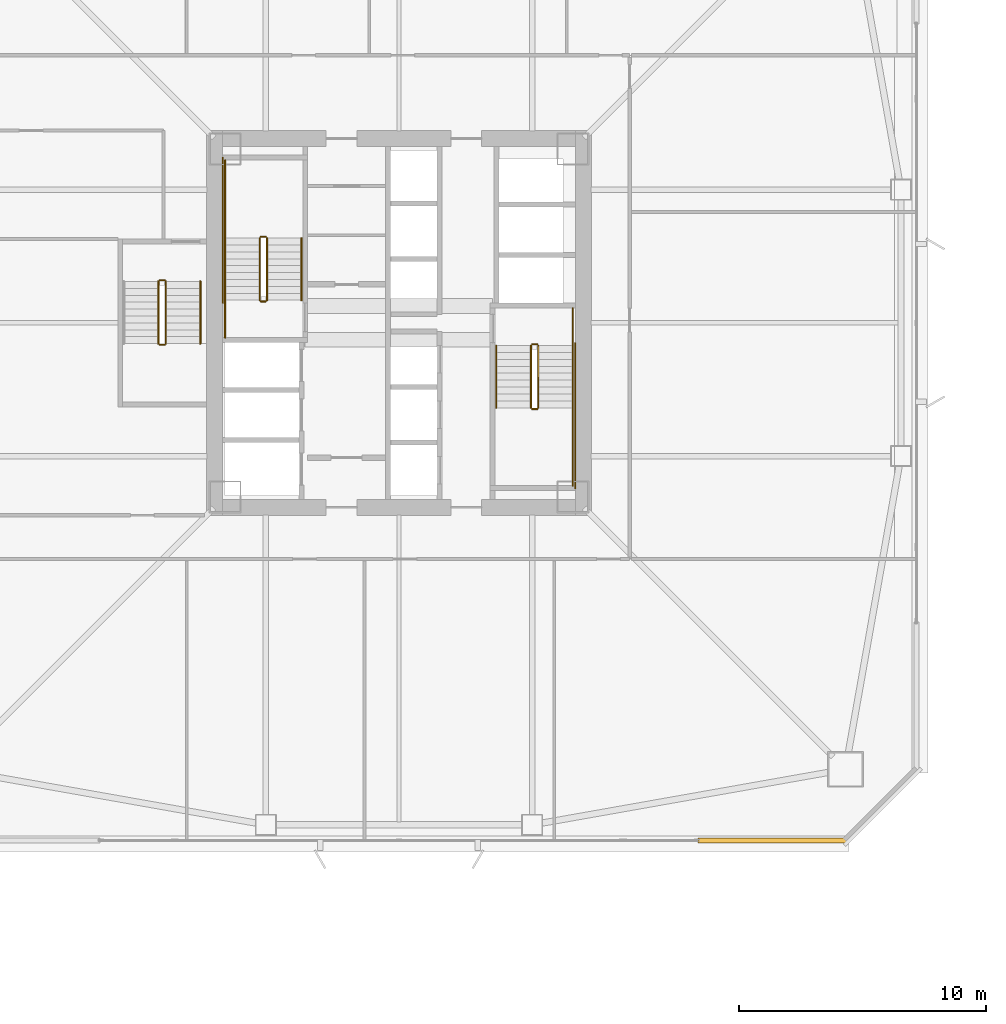
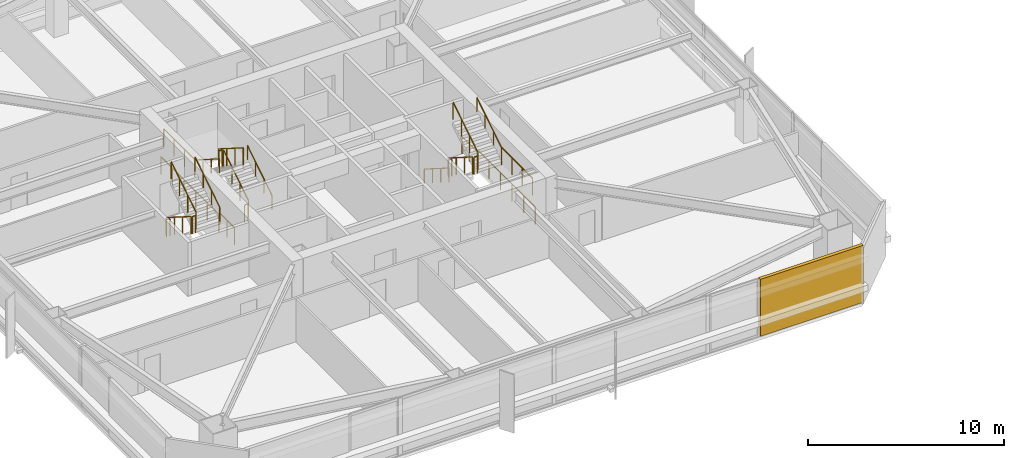
# One storey, part 43 of 49: 23 railings, 1 covering.
"""IFC4 building model written with IfcOpenShell, lengths in metres."""

from ifc_helpers import new_model, si_unit, direction, frame, origin, origin_2d, place, context, subcontext, project, spatial, rectangle, extrude, material, layer, layer_set, type_object, element, save


model = new_model("IFC4")

# Units and contexts
model_context = context("Model", 3, precision=1e-05, world=origin(), true_north=direction((0.0, 1.0)))
body_context = subcontext(model_context, "Body", "Model", "MODEL_VIEW")
ifc_project = project(units=[si_unit("LENGTHUNIT", "METRE"), si_unit("AREAUNIT", "SQUARE_METRE"), si_unit("VOLUMEUNIT", "CUBIC_METRE"), si_unit("PLANEANGLEUNIT", "RADIAN"), si_unit("MASSUNIT", "GRAM", prefix="KILO")], contexts=[model_context])

# Site, building, storey
site_placement = place(None, origin())
site = spatial("IfcSite", under=ifc_project, at=site_placement, CompositionType="ELEMENT")
building_placement = place(site_placement, origin())
building = spatial("IfcBuilding", under=site, at=building_placement, Name="Tashvorn Skyway Center", CompositionType="ELEMENT")
storey_placement = place(building_placement, frame((0.0, 0.0, 70.75)))
storey = spatial("IfcBuildingStorey", under=building, at=storey_placement, Name="L18", CompositionType="ELEMENT", Elevation=70.75)

# Covering
ifc_material_1 = material(Name="Precast concrete C40/50", Category="concrete")
ifc_layer = layer(ifc_material_1, 0.199951171875)
ifc_layer_set = layer_set([ifc_layer], Name="Precast concrete C40/50")
covering_type = type_object("IfcCoveringType", Name="COV-BRACE-CLAD", PredefinedType="CLADDING", material=ifc_layer_set)
covering_placement = place(storey_placement, frame((57.14990234375, 11.02001953125, 0.0), z_axis=(0.0, 0.0, 1.0), x_axis=(-1.0, 0.0, 0.0)))
element("IfcCovering", 1, at=covering_placement, inside=storey, type_object=covering_type, Name="Tower 1 L18 South Unitised Curtain Wall Mega-Brace Cladding Band 1", PredefinedType="CLADDING", context=body_context, shape_type="SweptSolid", body=[
    extrude(rectangle(XDim=6.06005859375, YDim=0.199951171875, at=origin_2d()), origin(), (0.0, 0.0, 1.0), 3.550048828125),
])

# Railings
ifc_material_2 = material(Name="Brushed stainless steel 316", Category="steel")
railing_type_1 = type_object("IfcRailingType", Name="RAIL-HAND-920", PredefinedType="HANDRAIL", material=ifc_material_2)
railing_1_placement = place(storey_placement, frame((38.050048828125, 32.919921875, 0.177490234375)))
element("IfcRailing", 2, at=railing_1_placement, inside=storey, type_object=railing_type_1, Name="L18 ST-T1-1 stair handrail 1", PredefinedType="HANDRAIL", context=body_context, shape_type="SweptSolid", body=[
    extrude(rectangle(XDim=0.048095703125, YDim=0.048095703125, at=origin_2d()), frame((0.0, 0.0, 0.8759765625), z_axis=(0.0, 0.84460694969, 0.535386869969), x_axis=(-1.0, 0.0, 0.0)), (0.0, 0.0, 1.0), 2.983642578125),
    extrude(rectangle(XDim=0.0419921875, YDim=0.0419921875, at=origin_2d()), origin(), (0.0, 0.0, 1.0), 0.851806640625),
    extrude(rectangle(XDim=0.0419921875, YDim=0.0419921875, at=origin_2d()), frame((0.0, 0.840087890625, 0.532470703125)), (0.0, 0.0, 1.0), 0.851806640625),
    extrude(rectangle(XDim=0.0419921875, YDim=0.0419921875, at=origin_2d()), frame((0.0, 1.679931640625, 1.06494140625)), (0.0, 0.0, 1.0), 0.851806640625),
    extrude(rectangle(XDim=0.0419921875, YDim=0.0419921875, at=origin_2d()), frame((0.0, 2.52001953125, 1.597412109375)), (0.0, 0.0, 1.0), 0.851806640625),
])
railing_2_placement = place(storey_placement, frame((34.949951171875, 35.43994140625, 1.952392578125)))
element("IfcRailing", 3, at=railing_2_placement, inside=storey, type_object=railing_type_1, Name="L18 ST-T1-1 stair handrail 2", PredefinedType="HANDRAIL", context=body_context, shape_type="SweptSolid", body=[
    extrude(rectangle(XDim=0.048095703125, YDim=0.048095703125, at=origin_2d()), frame((0.0, 0.0, 0.8759765625), z_axis=(0.0, -0.84456994832, 0.535445237532), x_axis=(1.0, 0.0, 0.0)), (0.0, 0.0, 1.0), 2.98388671875),
    extrude(rectangle(XDim=0.0419921875, YDim=0.0419921875, at=origin_2d()), origin(), (0.0, 0.0, 1.0), 0.851806640625),
    extrude(rectangle(XDim=0.0419921875, YDim=0.0419921875, at=origin_2d()), frame((0.0, -0.840087890625, 0.532470703125)), (0.0, 0.0, 1.0), 0.851806640625),
    extrude(rectangle(XDim=0.0419921875, YDim=0.0419921875, at=origin_2d()), frame((0.0, -1.679931640625, 1.065185546875)), (0.0, 0.0, 1.0), 0.851806640625),
    extrude(rectangle(XDim=0.0419921875, YDim=0.0419921875, at=origin_2d()), frame((0.0, -2.52001953125, 1.59765625)), (0.0, 0.0, 1.0), 0.851806640625),
])
railing_3_placement = place(storey_placement, frame((45.949951171875, 31.080078125, 0.177490234375)))
element("IfcRailing", 4, at=railing_3_placement, inside=storey, type_object=railing_type_1, Name="L18 ST-T1-2 stair handrail 1", PredefinedType="HANDRAIL", context=body_context, shape_type="SweptSolid", body=[
    extrude(rectangle(XDim=0.048095703125, YDim=0.048095703125, at=origin_2d()), frame((0.0, 0.0, 0.8759765625), z_axis=(0.0, -0.84460694969, 0.535386869969), x_axis=(1.0, 0.0, 0.0)), (0.0, 0.0, 1.0), 2.983642578125),
    extrude(rectangle(XDim=0.0419921875, YDim=0.0419921875, at=origin_2d()), origin(), (0.0, 0.0, 1.0), 0.851806640625),
    extrude(rectangle(XDim=0.0419921875, YDim=0.0419921875, at=origin_2d()), frame((0.0, -0.840087890625, 0.532470703125)), (0.0, 0.0, 1.0), 0.851806640625),
    extrude(rectangle(XDim=0.0419921875, YDim=0.0419921875, at=origin_2d()), frame((0.0, -1.679931640625, 1.06494140625)), (0.0, 0.0, 1.0), 0.851806640625),
    extrude(rectangle(XDim=0.0419921875, YDim=0.0419921875, at=origin_2d()), frame((0.0, -2.52001953125, 1.597412109375)), (0.0, 0.0, 1.0), 0.851806640625),
])
for number, where, name in (
    (5, (49.050048828125, 28.56005859375, 1.952392578125), "L18 ST-T1-2 stair handrail 2"),
    (6, (33.949951171875, 31.159912109375, 1.952392578125), "L18 ST-T1-3 stair handrail 2"),
):
    element("IfcRailing", number, at=place(storey_placement, frame(where)), inside=storey, type_object=railing_type_1, Name=name, PredefinedType="HANDRAIL", context=body_context, shape_type="SweptSolid", body=[
        extrude(rectangle(XDim=0.048095703125, YDim=0.048095703125, at=origin_2d()), frame((0.0, 0.0, 0.8759765625), z_axis=(0.0, 0.84456994832, 0.535445237532), x_axis=(-1.0, 0.0, 0.0)), (0.0, 0.0, 1.0), 2.98388671875),
        extrude(rectangle(XDim=0.0419921875, YDim=0.0419921875, at=origin_2d()), origin(), (0.0, 0.0, 1.0), 0.851806640625),
        extrude(rectangle(XDim=0.0419921875, YDim=0.0419921875, at=origin_2d()), frame((0.0, 0.840087890625, 0.532470703125)), (0.0, 0.0, 1.0), 0.851806640625),
        extrude(rectangle(XDim=0.0419921875, YDim=0.0419921875, at=origin_2d()), frame((0.0, 1.679931640625, 1.065185546875)), (0.0, 0.0, 1.0), 0.851806640625),
        extrude(rectangle(XDim=0.0419921875, YDim=0.0419921875, at=origin_2d()), frame((0.0, 2.52001953125, 1.59765625)), (0.0, 0.0, 1.0), 0.851806640625),
    ])
ifc_material_3 = material(Name="Painted galvanized steel S355", Category="steel")
railing_type_2 = type_object("IfcRailingType", Name="RAIL-STGUARD-1100", PredefinedType="GUARDRAIL", material=ifc_material_3)
railing_4_placement = place(storey_placement, frame((36.64990234375, 32.919921875, 0.177490234375)))
element("IfcRailing", 7, at=railing_4_placement, inside=storey, type_object=railing_type_2, Name="L18 ST-T1-1 stair guard 1", PredefinedType="GUARDRAIL", context=body_context, shape_type="SweptSolid", body=[
    extrude(rectangle(XDim=0.048095703125, YDim=0.048095703125, at=origin_2d()), frame((0.0, 0.0, 1.076171875), z_axis=(0.0, 0.84460694969, 0.535386869969), x_axis=(-1.0, 0.0, 0.0)), (0.0, 0.0, 1.0), 2.983642578125),
    extrude(rectangle(XDim=0.0419921875, YDim=0.0419921875, at=origin_2d()), origin(), (0.0, 0.0, 1.0), 1.052001953125),
    extrude(rectangle(XDim=0.0419921875, YDim=0.0419921875, at=origin_2d()), frame((0.0, 0.840087890625, 0.532470703125)), (0.0, 0.0, 1.0), 1.052001953125),
    extrude(rectangle(XDim=0.0419921875, YDim=0.0419921875, at=origin_2d()), frame((0.0, 1.679931640625, 1.06494140625)), (0.0, 0.0, 1.0), 1.052001953125),
    extrude(rectangle(XDim=0.0419921875, YDim=0.0419921875, at=origin_2d()), frame((0.0, 2.52001953125, 1.597412109375)), (0.0, 0.0, 1.0), 1.052001953125),
])
railing_5_placement = place(storey_placement, frame((36.60009765625, 35.489990234375, 1.77490234375)))
element("IfcRailing", 8, at=railing_5_placement, inside=storey, type_object=railing_type_2, Name="L18 ST-T1-1 stair guard 2", PredefinedType="GUARDRAIL", context=body_context, shape_type="SweptSolid", body=[
    extrude(rectangle(XDim=0.048095703125, YDim=0.048095703125, at=origin_2d()), frame((0.0, 0.0, 1.076171875), z_axis=(-1.0, 0.0, 0.0), x_axis=(0.0, -1.0, 0.0)), (0.0, 0.0, 1.0), 0.2001953125),
    extrude(rectangle(XDim=0.0419921875, YDim=0.0419921875, at=origin_2d()), origin(), (0.0, 0.0, 1.0), 1.052001953125),
    extrude(rectangle(XDim=0.0419921875, YDim=0.0419921875, at=origin_2d()), frame((-0.2001953125, 0.0, 0.0)), (0.0, 0.0, 1.0), 1.052001953125),
])
railing_6_placement = place(storey_placement, frame((34.949951171875, 35.43994140625, 1.77490234375)))
element("IfcRailing", 9, at=railing_6_placement, inside=storey, type_object=railing_type_2, Name="L18 ST-T1-1 stair guard 3", PredefinedType="GUARDRAIL", context=body_context, shape_type="SweptSolid", body=[
    extrude(rectangle(XDim=0.048095703125, YDim=0.048095703125, at=origin_2d()), frame((0.0, 0.0, 1.076171875), z_axis=(0.0, 1.0, 0.0), x_axis=(-1.0, 0.0, 0.0)), (0.0, 0.0, 1.0), 3.16015625),
    extrude(rectangle(XDim=0.0419921875, YDim=0.0419921875, at=origin_2d()), origin(), (0.0, 0.0, 1.0), 1.052001953125),
    extrude(rectangle(XDim=0.0419921875, YDim=0.0419921875, at=origin_2d()), frame((0.0, 1.053466796875, 0.0)), (0.0, 0.0, 1.0), 1.052001953125),
    extrude(rectangle(XDim=0.0419921875, YDim=0.0419921875, at=origin_2d()), frame((0.0, 2.106689453125, 0.0)), (0.0, 0.0, 1.0), 1.052001953125),
    extrude(rectangle(XDim=0.0419921875, YDim=0.0419921875, at=origin_2d()), frame((0.0, 3.16015625, 0.0)), (0.0, 0.0, 1.0), 1.052001953125),
])
railing_7_placement = place(storey_placement, frame((36.35009765625, 35.43994140625, 1.952392578125)))
element("IfcRailing", 10, at=railing_7_placement, inside=storey, type_object=railing_type_2, Name="L18 ST-T1-1 stair guard 4", PredefinedType="GUARDRAIL", context=body_context, shape_type="SweptSolid", body=[
    extrude(rectangle(XDim=0.048095703125, YDim=0.048095703125, at=origin_2d()), frame((0.0, 0.0, 1.076171875), z_axis=(0.0, -0.84456994832, 0.535445237532), x_axis=(1.0, 0.0, 0.0)), (0.0, 0.0, 1.0), 2.98388671875),
    extrude(rectangle(XDim=0.0419921875, YDim=0.0419921875, at=origin_2d()), origin(), (0.0, 0.0, 1.0), 1.052001953125),
    extrude(rectangle(XDim=0.0419921875, YDim=0.0419921875, at=origin_2d()), frame((0.0, -0.840087890625, 0.532470703125)), (0.0, 0.0, 1.0), 1.052001953125),
    extrude(rectangle(XDim=0.0419921875, YDim=0.0419921875, at=origin_2d()), frame((0.0, -1.679931640625, 1.065185546875)), (0.0, 0.0, 1.0), 1.052001953125),
    extrude(rectangle(XDim=0.0419921875, YDim=0.0419921875, at=origin_2d()), frame((0.0, -2.52001953125, 1.59765625)), (0.0, 0.0, 1.0), 1.052001953125),
])
railing_8_placement = place(storey_placement, frame((36.60009765625, 32.8701171875, 0.0)))
element("IfcRailing", 11, at=railing_8_placement, inside=storey, type_object=railing_type_2, Name="L18 ST-T1-1 stair guard 5", PredefinedType="GUARDRAIL", context=body_context, shape_type="SweptSolid", body=[
    extrude(rectangle(XDim=0.048095703125, YDim=0.048095703125, at=origin_2d()), frame((0.0, 0.0, 1.076171875), z_axis=(-1.0, 0.0, 0.0), x_axis=(0.0, -1.0, 0.0)), (0.0, 0.0, 1.0), 0.2001953125),
    extrude(rectangle(XDim=0.0419921875, YDim=0.0419921875, at=origin_2d()), origin(), (0.0, 0.0, 1.0), 1.052001953125),
    extrude(rectangle(XDim=0.0419921875, YDim=0.0419921875, at=origin_2d()), frame((-0.2001953125, 0.0, 0.0)), (0.0, 0.0, 1.0), 1.052001953125),
])
railing_9_placement = place(storey_placement, frame((34.949951171875, 31.39990234375, 0.0)))
element("IfcRailing", 12, at=railing_9_placement, inside=storey, type_object=railing_type_2, Name="L18 ST-T1-1 stair guard 6", PredefinedType="GUARDRAIL", context=body_context, shape_type="SweptSolid", body=[
    extrude(rectangle(XDim=0.048095703125, YDim=0.048095703125, at=origin_2d()), frame((0.0, 0.0, 1.076171875), z_axis=(0.0, 1.0, 0.0), x_axis=(-1.0, 0.0, 0.0)), (0.0, 0.0, 1.0), 1.52001953125),
    extrude(rectangle(XDim=0.0419921875, YDim=0.0419921875, at=origin_2d()), origin(), (0.0, 0.0, 1.0), 1.052001953125),
    extrude(rectangle(XDim=0.0419921875, YDim=0.0419921875, at=origin_2d()), frame((0.0, 0.760009765625, 0.0)), (0.0, 0.0, 1.0), 1.052001953125),
    extrude(rectangle(XDim=0.0419921875, YDim=0.0419921875, at=origin_2d()), frame((0.0, 1.52001953125, 0.0)), (0.0, 0.0, 1.0), 1.052001953125),
])
railing_10_placement = place(storey_placement, frame((34.85009765625, 32.820068359375, 0.0)))
element("IfcRailing", 13, at=railing_10_placement, inside=storey, type_object=railing_type_2, Name="L18 ST-T1-1 stair guard 7", PredefinedType="GUARDRAIL", context=body_context, shape_type="SweptSolid", body=[
    extrude(rectangle(XDim=0.048095703125, YDim=0.048095703125, at=origin_2d()), frame((0.0, 0.0, 1.076171875), z_axis=(0.0, 1.0, 0.0), x_axis=(-1.0, 0.0, 0.0)), (0.0, 0.0, 1.0), 5.8798828125),
    extrude(rectangle(XDim=0.0419921875, YDim=0.0419921875, at=origin_2d()), origin(), (0.0, 0.0, 1.0), 1.052001953125),
    extrude(rectangle(XDim=0.0419921875, YDim=0.0419921875, at=origin_2d()), frame((0.0, 1.176025390625, 0.0)), (0.0, 0.0, 1.0), 1.052001953125),
    extrude(rectangle(XDim=0.0419921875, YDim=0.0419921875, at=origin_2d()), frame((0.0, 2.35205078125, 0.0)), (0.0, 0.0, 1.0), 1.052001953125),
    extrude(rectangle(XDim=0.0419921875, YDim=0.0419921875, at=origin_2d()), frame((0.0, 3.52783203125, 0.0)), (0.0, 0.0, 1.0), 1.052001953125),
    extrude(rectangle(XDim=0.0419921875, YDim=0.0419921875, at=origin_2d()), frame((0.0, 4.703857421875, 0.0)), (0.0, 0.0, 1.0), 1.052001953125),
    extrude(rectangle(XDim=0.0419921875, YDim=0.0419921875, at=origin_2d()), frame((0.0, 5.8798828125, 0.0)), (0.0, 0.0, 1.0), 1.052001953125),
])
railing_11_placement = place(storey_placement, frame((47.35009765625, 31.080078125, 0.177490234375)))
element("IfcRailing", 14, at=railing_11_placement, inside=storey, type_object=railing_type_2, Name="L18 ST-T1-2 stair guard 1", PredefinedType="GUARDRAIL", context=body_context, shape_type="SweptSolid", body=[
    extrude(rectangle(XDim=0.048095703125, YDim=0.048095703125, at=origin_2d()), frame((0.0, 0.0, 1.076171875), z_axis=(0.0, -0.84460694969, 0.535386869969), x_axis=(1.0, 0.0, 0.0)), (0.0, 0.0, 1.0), 2.983642578125),
    extrude(rectangle(XDim=0.0419921875, YDim=0.0419921875, at=origin_2d()), origin(), (0.0, 0.0, 1.0), 1.052001953125),
    extrude(rectangle(XDim=0.0419921875, YDim=0.0419921875, at=origin_2d()), frame((0.0, -0.840087890625, 0.532470703125)), (0.0, 0.0, 1.0), 1.052001953125),
    extrude(rectangle(XDim=0.0419921875, YDim=0.0419921875, at=origin_2d()), frame((0.0, -1.679931640625, 1.06494140625)), (0.0, 0.0, 1.0), 1.052001953125),
    extrude(rectangle(XDim=0.0419921875, YDim=0.0419921875, at=origin_2d()), frame((0.0, -2.52001953125, 1.597412109375)), (0.0, 0.0, 1.0), 1.052001953125),
])
railing_12_placement = place(storey_placement, frame((47.39990234375, 28.510009765625, 1.77490234375)))
element("IfcRailing", 15, at=railing_12_placement, inside=storey, type_object=railing_type_2, Name="L18 ST-T1-2 stair guard 2", PredefinedType="GUARDRAIL", context=body_context, shape_type="SweptSolid", body=[
    extrude(rectangle(XDim=0.048095703125, YDim=0.048095703125, at=origin_2d()), frame((0.0, 0.0, 1.076171875), z_axis=(1.0, 0.0, 0.0), x_axis=(0.0, 1.0, 0.0)), (0.0, 0.0, 1.0), 0.2001953125),
    extrude(rectangle(XDim=0.0419921875, YDim=0.0419921875, at=origin_2d()), origin(), (0.0, 0.0, 1.0), 1.052001953125),
    extrude(rectangle(XDim=0.0419921875, YDim=0.0419921875, at=origin_2d()), frame((0.2001953125, 0.0, 0.0)), (0.0, 0.0, 1.0), 1.052001953125),
])
railing_13_placement = place(storey_placement, frame((49.050048828125, 28.56005859375, 1.77490234375)))
element("IfcRailing", 16, at=railing_13_placement, inside=storey, type_object=railing_type_2, Name="L18 ST-T1-2 stair guard 3", PredefinedType="GUARDRAIL", context=body_context, shape_type="SweptSolid", body=[
    extrude(rectangle(XDim=0.048095703125, YDim=0.048095703125, at=origin_2d()), frame((0.0, 0.0, 1.076171875), z_axis=(0.0, -1.0, 0.0), x_axis=(1.0, 0.0, 0.0)), (0.0, 0.0, 1.0), 3.16015625),
    extrude(rectangle(XDim=0.0419921875, YDim=0.0419921875, at=origin_2d()), origin(), (0.0, 0.0, 1.0), 1.052001953125),
    extrude(rectangle(XDim=0.0419921875, YDim=0.0419921875, at=origin_2d()), frame((0.0, -1.053466796875, 0.0)), (0.0, 0.0, 1.0), 1.052001953125),
    extrude(rectangle(XDim=0.0419921875, YDim=0.0419921875, at=origin_2d()), frame((0.0, -2.106689453125, 0.0)), (0.0, 0.0, 1.0), 1.052001953125),
    extrude(rectangle(XDim=0.0419921875, YDim=0.0419921875, at=origin_2d()), frame((0.0, -3.16015625, 0.0)), (0.0, 0.0, 1.0), 1.052001953125),
])
railing_14_placement = place(storey_placement, frame((47.64990234375, 28.56005859375, 1.952392578125)))
element("IfcRailing", 17, at=railing_14_placement, inside=storey, type_object=railing_type_2, Name="L18 ST-T1-2 stair guard 4", PredefinedType="GUARDRAIL", context=body_context, shape_type="SweptSolid", body=[
    extrude(rectangle(XDim=0.048095703125, YDim=0.048095703125, at=origin_2d()), frame((0.0, 0.0, 1.076171875), z_axis=(0.0, 0.84456994832, 0.535445237532), x_axis=(-1.0, 0.0, 0.0)), (0.0, 0.0, 1.0), 2.98388671875),
    extrude(rectangle(XDim=0.0419921875, YDim=0.0419921875, at=origin_2d()), origin(), (0.0, 0.0, 1.0), 1.052001953125),
    extrude(rectangle(XDim=0.0419921875, YDim=0.0419921875, at=origin_2d()), frame((0.0, 0.840087890625, 0.532470703125)), (0.0, 0.0, 1.0), 1.052001953125),
    extrude(rectangle(XDim=0.0419921875, YDim=0.0419921875, at=origin_2d()), frame((0.0, 1.679931640625, 1.065185546875)), (0.0, 0.0, 1.0), 1.052001953125),
    extrude(rectangle(XDim=0.0419921875, YDim=0.0419921875, at=origin_2d()), frame((0.0, 2.52001953125, 1.59765625)), (0.0, 0.0, 1.0), 1.052001953125),
])
railing_15_placement = place(storey_placement, frame((47.39990234375, 31.1298828125, 0.0)))
element("IfcRailing", 18, at=railing_15_placement, inside=storey, type_object=railing_type_2, Name="L18 ST-T1-2 stair guard 5", PredefinedType="GUARDRAIL", context=body_context, shape_type="SweptSolid", body=[
    extrude(rectangle(XDim=0.048095703125, YDim=0.048095703125, at=origin_2d()), frame((0.0, 0.0, 1.076171875), z_axis=(1.0, 0.0, 0.0), x_axis=(0.0, 1.0, 0.0)), (0.0, 0.0, 1.0), 0.2001953125),
    extrude(rectangle(XDim=0.0419921875, YDim=0.0419921875, at=origin_2d()), origin(), (0.0, 0.0, 1.0), 1.052001953125),
    extrude(rectangle(XDim=0.0419921875, YDim=0.0419921875, at=origin_2d()), frame((0.2001953125, 0.0, 0.0)), (0.0, 0.0, 1.0), 1.052001953125),
])
railing_16_placement = place(storey_placement, frame((49.050048828125, 32.60009765625, 0.0)))
element("IfcRailing", 19, at=railing_16_placement, inside=storey, type_object=railing_type_2, Name="L18 ST-T1-2 stair guard 6", PredefinedType="GUARDRAIL", context=body_context, shape_type="SweptSolid", body=[
    extrude(rectangle(XDim=0.048095703125, YDim=0.048095703125, at=origin_2d()), frame((0.0, 0.0, 1.076171875), z_axis=(0.0, -1.0, 0.0), x_axis=(1.0, 0.0, 0.0)), (0.0, 0.0, 1.0), 1.52001953125),
    extrude(rectangle(XDim=0.0419921875, YDim=0.0419921875, at=origin_2d()), origin(), (0.0, 0.0, 1.0), 1.052001953125),
    extrude(rectangle(XDim=0.0419921875, YDim=0.0419921875, at=origin_2d()), frame((0.0, -0.760009765625, 0.0)), (0.0, 0.0, 1.0), 1.052001953125),
    extrude(rectangle(XDim=0.0419921875, YDim=0.0419921875, at=origin_2d()), frame((0.0, -1.52001953125, 0.0)), (0.0, 0.0, 1.0), 1.052001953125),
])
railing_17_placement = place(storey_placement, frame((49.14990234375, 31.179931640625, 0.0)))
element("IfcRailing", 20, at=railing_17_placement, inside=storey, type_object=railing_type_2, Name="L18 ST-T1-2 stair guard 7", PredefinedType="GUARDRAIL", context=body_context, shape_type="SweptSolid", body=[
    extrude(rectangle(XDim=0.048095703125, YDim=0.048095703125, at=origin_2d()), frame((0.0, 0.0, 1.076171875), z_axis=(0.0, -1.0, 0.0), x_axis=(1.0, 0.0, 0.0)), (0.0, 0.0, 1.0), 5.8798828125),
    extrude(rectangle(XDim=0.0419921875, YDim=0.0419921875, at=origin_2d()), origin(), (0.0, 0.0, 1.0), 1.052001953125),
    extrude(rectangle(XDim=0.0419921875, YDim=0.0419921875, at=origin_2d()), frame((0.0, -1.176025390625, 0.0)), (0.0, 0.0, 1.0), 1.052001953125),
    extrude(rectangle(XDim=0.0419921875, YDim=0.0419921875, at=origin_2d()), frame((0.0, -2.35205078125, 0.0)), (0.0, 0.0, 1.0), 1.052001953125),
    extrude(rectangle(XDim=0.0419921875, YDim=0.0419921875, at=origin_2d()), frame((0.0, -3.52783203125, 0.0)), (0.0, 0.0, 1.0), 1.052001953125),
    extrude(rectangle(XDim=0.0419921875, YDim=0.0419921875, at=origin_2d()), frame((0.0, -4.703857421875, 0.0)), (0.0, 0.0, 1.0), 1.052001953125),
    extrude(rectangle(XDim=0.0419921875, YDim=0.0419921875, at=origin_2d()), frame((0.0, -5.8798828125, 0.0)), (0.0, 0.0, 1.0), 1.052001953125),
])
railing_18_placement = place(storey_placement, frame((32.25, 33.679931640625, 0.177490234375)))
element("IfcRailing", 21, at=railing_18_placement, inside=storey, type_object=railing_type_2, Name="L18 ST-T1-3 stair guard 1", PredefinedType="GUARDRAIL", context=body_context, shape_type="SweptSolid", body=[
    extrude(rectangle(XDim=0.048095703125, YDim=0.048095703125, at=origin_2d()), frame((0.0, 0.0, 1.076171875), z_axis=(0.0, -0.84460694969, 0.535386869969), x_axis=(1.0, 0.0, 0.0)), (0.0, 0.0, 1.0), 2.983642578125),
    extrude(rectangle(XDim=0.0419921875, YDim=0.0419921875, at=origin_2d()), origin(), (0.0, 0.0, 1.0), 1.052001953125),
    extrude(rectangle(XDim=0.0419921875, YDim=0.0419921875, at=origin_2d()), frame((0.0, -0.840087890625, 0.532470703125)), (0.0, 0.0, 1.0), 1.052001953125),
    extrude(rectangle(XDim=0.0419921875, YDim=0.0419921875, at=origin_2d()), frame((0.0, -1.679931640625, 1.06494140625)), (0.0, 0.0, 1.0), 1.052001953125),
    extrude(rectangle(XDim=0.0419921875, YDim=0.0419921875, at=origin_2d()), frame((0.0, -2.52001953125, 1.597412109375)), (0.0, 0.0, 1.0), 1.052001953125),
])
railing_19_placement = place(storey_placement, frame((32.300048828125, 31.110107421875, 1.77490234375)))
element("IfcRailing", 22, at=railing_19_placement, inside=storey, type_object=railing_type_2, Name="L18 ST-T1-3 stair guard 2", PredefinedType="GUARDRAIL", context=body_context, shape_type="SweptSolid", body=[
    extrude(rectangle(XDim=0.048095703125, YDim=0.048095703125, at=origin_2d()), frame((0.0, 0.0, 1.076171875), z_axis=(1.0, 0.0, 0.0), x_axis=(0.0, 1.0, 0.0)), (0.0, 0.0, 1.0), 0.199951171875),
    extrude(rectangle(XDim=0.0419921875, YDim=0.0419921875, at=origin_2d()), origin(), (0.0, 0.0, 1.0), 1.052001953125),
    extrude(rectangle(XDim=0.0419921875, YDim=0.0419921875, at=origin_2d()), frame((0.199951171875, 0.0, 0.0)), (0.0, 0.0, 1.0), 1.052001953125),
])
railing_20_placement = place(storey_placement, frame((32.550048828125, 31.159912109375, 1.952392578125)))
element("IfcRailing", 23, at=railing_20_placement, inside=storey, type_object=railing_type_2, Name="L18 ST-T1-3 stair guard 3", PredefinedType="GUARDRAIL", context=body_context, shape_type="SweptSolid", body=[
    extrude(rectangle(XDim=0.048095703125, YDim=0.048095703125, at=origin_2d()), frame((0.0, 0.0, 1.076171875), z_axis=(0.0, 0.84456994832, 0.535445237532), x_axis=(-1.0, 0.0, 0.0)), (0.0, 0.0, 1.0), 2.98388671875),
    extrude(rectangle(XDim=0.0419921875, YDim=0.0419921875, at=origin_2d()), origin(), (0.0, 0.0, 1.0), 1.052001953125),
    extrude(rectangle(XDim=0.0419921875, YDim=0.0419921875, at=origin_2d()), frame((0.0, 0.840087890625, 0.532470703125)), (0.0, 0.0, 1.0), 1.052001953125),
    extrude(rectangle(XDim=0.0419921875, YDim=0.0419921875, at=origin_2d()), frame((0.0, 1.679931640625, 1.065185546875)), (0.0, 0.0, 1.0), 1.052001953125),
    extrude(rectangle(XDim=0.0419921875, YDim=0.0419921875, at=origin_2d()), frame((0.0, 2.52001953125, 1.59765625)), (0.0, 0.0, 1.0), 1.052001953125),
])
railing_21_placement = place(storey_placement, frame((32.300048828125, 33.72998046875, 0.0)))
element("IfcRailing", 24, at=railing_21_placement, inside=storey, type_object=railing_type_2, Name="L18 ST-T1-3 stair guard 4", PredefinedType="GUARDRAIL", context=body_context, shape_type="SweptSolid", body=[
    extrude(rectangle(XDim=0.048095703125, YDim=0.048095703125, at=origin_2d()), frame((0.0, 0.0, 1.076171875), z_axis=(1.0, 0.0, 0.0), x_axis=(0.0, 1.0, 0.0)), (0.0, 0.0, 1.0), 0.199951171875),
    extrude(rectangle(XDim=0.0419921875, YDim=0.0419921875, at=origin_2d()), origin(), (0.0, 0.0, 1.0), 1.052001953125),
    extrude(rectangle(XDim=0.0419921875, YDim=0.0419921875, at=origin_2d()), frame((0.199951171875, 0.0, 0.0)), (0.0, 0.0, 1.0), 1.052001953125),
])

save(model, "model.ifc")
